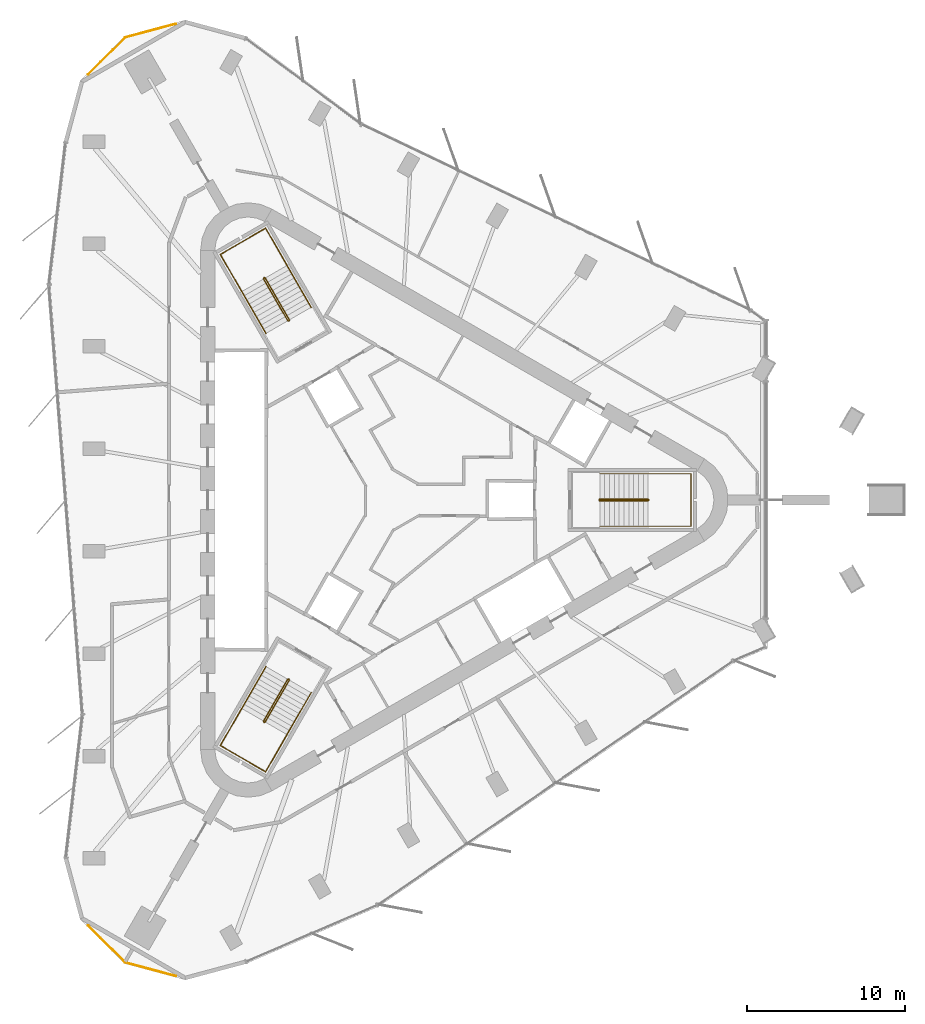
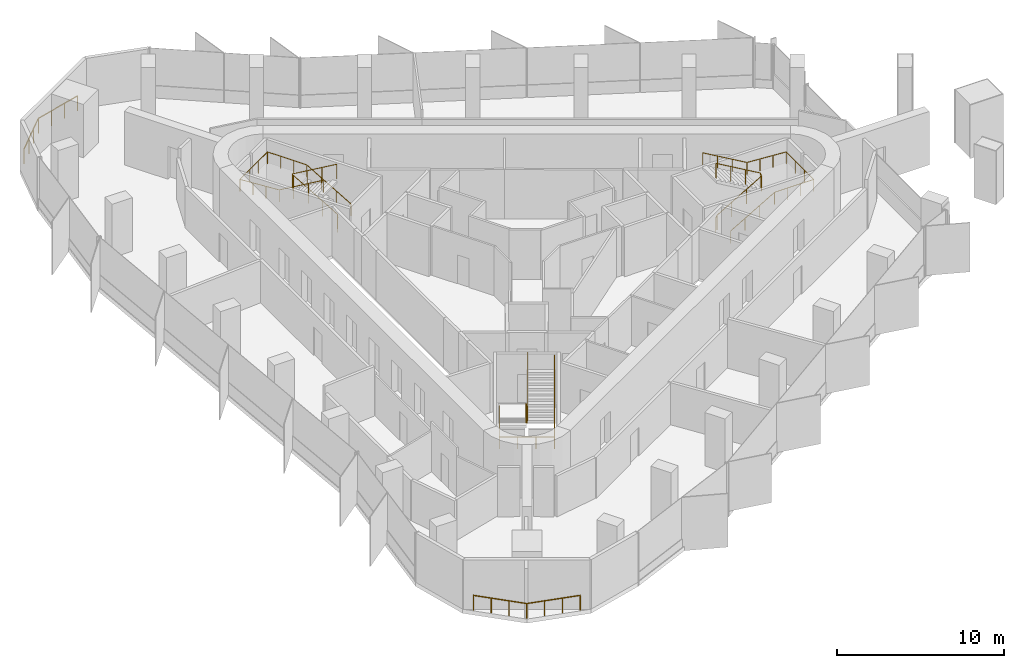
# One storey, part 12 of 12: 8 railings.
"""IFC4 building model written with IfcOpenShell, lengths in metres."""

from ifc_helpers import new_model, si_unit, direction, frame, origin, origin_2d, place, context, subcontext, project, spatial, circle, extrude, material, type_object, element, save


model = new_model("IFC4")

# Units and contexts
model_context = context("Model", 3, precision=1e-05, world=origin(), true_north=direction((0.0, 1.0)))
body_context = subcontext(model_context, "Body", "Model", "MODEL_VIEW")
ifc_project = project(units=[si_unit("LENGTHUNIT", "METRE"), si_unit("AREAUNIT", "SQUARE_METRE"), si_unit("VOLUMEUNIT", "CUBIC_METRE"), si_unit("PLANEANGLEUNIT", "RADIAN"), si_unit("MASSUNIT", "GRAM", prefix="KILO")], contexts=[model_context])

# Site, building, storey
site_placement = place(None, origin())
site = spatial("IfcSite", under=ifc_project, at=site_placement, CompositionType="ELEMENT")
building_placement = place(site_placement, origin())
building = spatial("IfcBuilding", under=site, at=building_placement, Name="Tanit Gate Tower", CompositionType="ELEMENT")
storey_placement = place(building_placement, frame((0.0, 0.0, 380.60009765625)))
storey = spatial("IfcBuildingStorey", under=building, at=storey_placement, Name="L87", CompositionType="ELEMENT", Elevation=380.60009765625)

# Railings
ifc_material_1 = material(Name="Stainless steel", Category="steel")
railing_type_1 = type_object("IfcRailingType", Name="Guard 1100 stainless steel balustrade", PredefinedType="GUARDRAIL", material=ifc_material_1)
railing_1_placement = place(storey_placement, frame((-13.66552734375, -30.05126953125, 0.0)))
element("IfcRailing", 1, at=railing_1_placement, inside=storey, type_object=railing_type_1, Name="Corner ledge guard L87 1", PredefinedType="GUARDRAIL", context=body_context, shape_type="SweptSolid", body=[
    extrude(circle(Radius=0.02392578125, at=origin_2d()), frame((0.0, 0.0, 1.076171875), z_axis=(-0.965927598952, 0.258812429344, 0.0), x_axis=(-0.258812429344, -0.965927598952, 0.0)), (0.0, 0.0, 1.0), 3.303466796875),
    extrude(circle(Radius=0.02392578125, at=origin_2d()), frame((-3.19091796875, 0.85498046875, 1.076171875), z_axis=(-0.707106781187, 0.707106781187, 0.0), x_axis=(-0.707106781187, -0.707106781187, 0.0)), (0.0, 0.0, 1.0), 3.303466796875),
    extrude(circle(Radius=0.02099609375, at=origin_2d()), origin(), (0.0, 0.0, 1.0), 1.052001953125),
    extrude(circle(Radius=0.02099609375, at=origin_2d()), frame((-1.063720703125, 0.284912109375, 0.0)), (0.0, 0.0, 1.0), 1.052001953125),
    extrude(circle(Radius=0.02099609375, at=origin_2d()), frame((-2.127197265625, 0.570068359375, 0.0)), (0.0, 0.0, 1.0), 1.052001953125),
    extrude(circle(Radius=0.02099609375, at=origin_2d()), frame((-3.19091796875, 0.85498046875, 0.0)), (0.0, 0.0, 1.0), 1.052001953125),
    extrude(circle(Radius=0.02099609375, at=origin_2d()), frame((-3.969482421875, 1.633544921875, 0.0)), (0.0, 0.0, 1.0), 1.052001953125),
    extrude(circle(Radius=0.02099609375, at=origin_2d()), frame((-4.748291015625, 2.412353515625, 0.0)), (0.0, 0.0, 1.0), 1.052001953125),
    extrude(circle(Radius=0.02099609375, at=origin_2d()), frame((-5.52685546875, 3.19091796875, 0.0)), (0.0, 0.0, 1.0), 1.052001953125),
])
railing_2_placement = place(storey_placement, frame((-19.1923828125, 26.8603515625, 0.0)))
element("IfcRailing", 2, at=railing_2_placement, inside=storey, type_object=railing_type_1, Name="Corner ledge guard L87 2", PredefinedType="GUARDRAIL", context=body_context, shape_type="SweptSolid", body=[
    extrude(circle(Radius=0.02392578125, at=origin_2d()), frame((0.0, 0.0, 1.076171875), z_axis=(0.707106781187, 0.707106781187, 0.0), x_axis=(-0.707106781187, 0.707106781187, 0.0)), (0.0, 0.0, 1.0), 3.303466796875),
    extrude(circle(Radius=0.02392578125, at=origin_2d()), frame((2.3359375, 2.3359375, 1.076171875), z_axis=(0.965927598952, 0.258812429344, 0.0), x_axis=(-0.258812429344, 0.965927598952, 0.0)), (0.0, 0.0, 1.0), 3.303466796875),
    extrude(circle(Radius=0.02099609375, at=origin_2d()), origin(), (0.0, 0.0, 1.0), 1.052001953125),
    extrude(circle(Radius=0.02099609375, at=origin_2d()), frame((0.778564453125, 0.778564453125, 0.0)), (0.0, 0.0, 1.0), 1.052001953125),
    extrude(circle(Radius=0.02099609375, at=origin_2d()), frame((1.557373046875, 1.557373046875, 0.0)), (0.0, 0.0, 1.0), 1.052001953125),
    extrude(circle(Radius=0.02099609375, at=origin_2d()), frame((2.3359375, 2.3359375, 0.0)), (0.0, 0.0, 1.0), 1.052001953125),
    extrude(circle(Radius=0.02099609375, at=origin_2d()), frame((3.399658203125, 2.620849609375, 0.0)), (0.0, 0.0, 1.0), 1.052001953125),
    extrude(circle(Radius=0.02099609375, at=origin_2d()), frame((4.463134765625, 2.906005859375, 0.0)), (0.0, 0.0, 1.0), 1.052001953125),
    extrude(circle(Radius=0.02099609375, at=origin_2d()), frame((5.52685546875, 3.19091796875, 0.0)), (0.0, 0.0, 1.0), 1.052001953125),
])
ifc_material_2 = material(Name="Stainless steel balustrade", Category="steel")
railing_type_2 = type_object("IfcRailingType", Name="INT-STAIR-GUARD", PredefinedType="GUARDRAIL", material=ifc_material_2)
railing_3_placement = place(storey_placement, frame((13.044921875, 0.0048828125, 0.0)))
element("IfcRailing", 3, at=railing_3_placement, inside=storey, type_object=railing_type_2, Name="L87 S1 stair guard 1", PredefinedType="GUARDRAIL", context=body_context, shape_type="SweptSolid", body=[
    extrude(circle(Radius=0.02392578125, at=origin_2d()), frame((0.0, 0.0, 1.076171875), z_axis=(0.0, -1.0, 0.0), x_axis=(1.0, 0.0, 0.0)), (0.0, 0.0, 1.0), 0.009765625),
    extrude(circle(Radius=0.02392578125, at=origin_2d()), frame((0.0, -0.009765625, 1.076171875), z_axis=(0.262233686654, -0.262233686654, 0.928691007369), x_axis=(0.707106781187, 0.707106781187, 0.0)), (0.0, 0.0, 1.0), 0.19091796875),
    extrude(circle(Radius=0.02392578125, at=origin_2d()), frame((0.050048828125, -0.059814453125, 1.25341796875), z_axis=(0.864648382064, 0.0, 0.502377522779), x_axis=(0.0, 1.0, 0.0)), (0.0, 0.0, 1.0), 3.528564453125),
    extrude(circle(Radius=0.02392578125, at=origin_2d()), frame((3.10107421875, -0.059814453125, 3.02587890625), z_axis=(0.707106781187, 0.707106781187, 0.0), x_axis=(-0.707106781187, 0.707106781187, 0.0)), (0.0, 0.0, 1.0), 0.07080078125),
    extrude(circle(Radius=0.02392578125, at=origin_2d()), frame((3.151123046875, -0.009765625, 3.02587890625), z_axis=(0.0, 1.0, 0.0), x_axis=(-1.0, 0.0, 0.0)), (0.0, 0.0, 1.0), 0.009765625),
    extrude(circle(Radius=0.02392578125, at=origin_2d()), frame((3.151123046875, 0.0, 3.02587890625), z_axis=(-0.262233686654, 0.262233686654, 0.928691007369), x_axis=(-0.707106781187, -0.707106781187, 0.0)), (0.0, 0.0, 1.0), 0.19091796875),
    extrude(circle(Radius=0.02392578125, at=origin_2d()), frame((3.10107421875, 0.050048828125, 3.203125), z_axis=(-0.864648382064, 0.0, 0.502377522779), x_axis=(0.0, -1.0, 0.0)), (0.0, 0.0, 1.0), 3.528564453125),
    extrude(circle(Radius=0.02099609375, at=origin_2d()), origin(), (0.0, 0.0, 1.0), 1.052001953125),
    extrude(circle(Radius=0.02099609375, at=origin_2d()), frame((0.0, -0.009765625, 0.0)), (0.0, 0.0, 1.0), 1.052001953125),
    extrude(circle(Radius=0.02099609375, at=origin_2d()), frame((0.050048828125, -0.059814453125, 0.17724609375)), (0.0, 0.0, 1.0), 1.052001953125),
    extrude(circle(Radius=0.02099609375, at=origin_2d()), frame((1.067138671875, -0.059814453125, 0.76806640625)), (0.0, 0.0, 1.0), 1.052001953125),
    extrude(circle(Radius=0.02099609375, at=origin_2d()), frame((2.083984375, -0.059814453125, 1.359130859375)), (0.0, 0.0, 1.0), 1.052001953125),
    extrude(circle(Radius=0.02099609375, at=origin_2d()), frame((3.10107421875, -0.059814453125, 1.949951171875)), (0.0, 0.0, 1.0), 1.052001953125),
    extrude(circle(Radius=0.02099609375, at=origin_2d()), frame((3.151123046875, -0.009765625, 1.949951171875)), (0.0, 0.0, 1.0), 1.052001953125),
    extrude(circle(Radius=0.02099609375, at=origin_2d()), frame((3.151123046875, 0.0, 1.949951171875)), (0.0, 0.0, 1.0), 1.052001953125),
    extrude(circle(Radius=0.02099609375, at=origin_2d()), frame((3.10107421875, 0.050048828125, 2.127197265625)), (0.0, 0.0, 1.0), 1.052001953125),
    extrude(circle(Radius=0.02099609375, at=origin_2d()), frame((2.083984375, 0.050048828125, 2.718017578125)), (0.0, 0.0, 1.0), 1.052001953125),
    extrude(circle(Radius=0.02099609375, at=origin_2d()), frame((1.067138671875, 0.050048828125, 3.30908203125)), (0.0, 0.0, 1.0), 1.052001953125),
    extrude(circle(Radius=0.02099609375, at=origin_2d()), frame((0.050048828125, 0.050048828125, 3.89990234375)), (0.0, 0.0, 1.0), 1.052001953125),
])
railing_4_placement = place(storey_placement, frame((-6.527099609375, 11.29345703125, 0.0)))
element("IfcRailing", 4, at=railing_4_placement, inside=storey, type_object=railing_type_2, Name="L87 S2 stair guard 1", PredefinedType="GUARDRAIL", context=body_context, shape_type="SweptSolid", body=[
    extrude(circle(Radius=0.02392578125, at=origin_2d()), frame((0.0, 0.0, 1.076171875), z_axis=(0.868243142124, 0.496138938357, 0.0), x_axis=(-0.496138938357, 0.868243142124, 0.0)), (0.0, 0.0, 1.0), 0.01171875),
    extrude(circle(Radius=0.02392578125, at=origin_2d()), frame((0.01025390625, 0.005859375, 1.076171875), z_axis=(0.095941116058, 0.358180166617, 0.928710003441), x_axis=(-0.965948051503, 0.258736085224, 0.0)), (0.0, 0.0, 1.0), 0.19091796875),
    extrude(circle(Radius=0.02392578125, at=origin_2d()), frame((0.028564453125, 0.07421875, 1.25341796875), z_axis=(-0.4322777601, 0.748681545756, 0.50260509465), x_axis=(-0.866012246495, -0.500022788402, 0.0)), (0.0, 0.0, 1.0), 3.527099609375),
    extrude(circle(Radius=0.02392578125, at=origin_2d()), frame((-1.49609375, 2.71484375, 3.02587890625), z_axis=(-0.965715946433, 0.259601060869, 0.0), x_axis=(-0.259601060869, -0.965715946433, 0.0)), (0.0, 0.0, 1.0), 0.070556640625),
    extrude(circle(Radius=0.02392578125, at=origin_2d()), frame((-1.564208984375, 2.733154296875, 3.02587890625), z_axis=(-0.873197702015, -0.487366159264, 0.0), x_axis=(0.487366159264, -0.873197702015, 0.0)), (0.0, 0.0, 1.0), 0.011962890625),
    extrude(circle(Radius=0.02392578125, at=origin_2d()), frame((-1.57470703125, 2.727294921875, 3.02587890625), z_axis=(-0.095941116058, -0.358180166617, 0.928710003441), x_axis=(0.965948051503, -0.258736085224, 0.0)), (0.0, 0.0, 1.0), 0.19091796875),
    extrude(circle(Radius=0.02392578125, at=origin_2d()), frame((-1.593017578125, 2.658935546875, 3.203125), z_axis=(0.4322777601, -0.748681545756, 0.50260509465), x_axis=(0.866012246495, 0.500022788402, 0.0)), (0.0, 0.0, 1.0), 3.527099609375),
    extrude(circle(Radius=0.02099609375, at=origin_2d()), origin(), (0.0, 0.0, 1.0), 1.052001953125),
    extrude(circle(Radius=0.02099609375, at=origin_2d()), frame((0.01025390625, 0.005859375, 0.0)), (0.0, 0.0, 1.0), 1.052001953125),
    extrude(circle(Radius=0.02099609375, at=origin_2d()), frame((0.028564453125, 0.07421875, 0.17724609375)), (0.0, 0.0, 1.0), 1.052001953125),
    extrude(circle(Radius=0.02099609375, at=origin_2d()), frame((-0.479736328125, 0.954345703125, 0.76806640625)), (0.0, 0.0, 1.0), 1.052001953125),
    extrude(circle(Radius=0.02099609375, at=origin_2d()), frame((-0.98779296875, 1.834716796875, 1.359130859375)), (0.0, 0.0, 1.0), 1.052001953125),
    extrude(circle(Radius=0.02099609375, at=origin_2d()), frame((-1.49609375, 2.71484375, 1.949951171875)), (0.0, 0.0, 1.0), 1.052001953125),
    extrude(circle(Radius=0.02099609375, at=origin_2d()), frame((-1.564208984375, 2.733154296875, 1.949951171875)), (0.0, 0.0, 1.0), 1.052001953125),
    extrude(circle(Radius=0.02099609375, at=origin_2d()), frame((-1.57470703125, 2.727294921875, 1.949951171875)), (0.0, 0.0, 1.0), 1.052001953125),
    extrude(circle(Radius=0.02099609375, at=origin_2d()), frame((-1.593017578125, 2.658935546875, 2.127197265625)), (0.0, 0.0, 1.0), 1.052001953125),
    extrude(circle(Radius=0.02099609375, at=origin_2d()), frame((-1.084716796875, 1.77880859375, 2.718017578125)), (0.0, 0.0, 1.0), 1.052001953125),
    extrude(circle(Radius=0.02099609375, at=origin_2d()), frame((-0.57666015625, 0.8984375, 3.30908203125)), (0.0, 0.0, 1.0), 1.052001953125),
    extrude(circle(Radius=0.02099609375, at=origin_2d()), frame((-0.068359375, 0.018310546875, 3.89990234375)), (0.0, 0.0, 1.0), 1.052001953125),
])
railing_5_placement = place(storey_placement, frame((-6.51806640625, -11.2998046875, 0.0)))
element("IfcRailing", 5, at=railing_5_placement, inside=storey, type_object=railing_type_2, Name="L87 S3 stair guard 1", PredefinedType="GUARDRAIL", context=body_context, shape_type="SweptSolid", body=[
    extrude(circle(Radius=0.02392578125, at=origin_2d()), frame((0.0, 0.0, 1.076171875), z_axis=(-0.874157276122, 0.485642931179, 0.0), x_axis=(-0.485642931179, -0.874157276122, 0.0)), (0.0, 0.0, 1.0), 0.010009765625),
    extrude(circle(Radius=0.02392578125, at=origin_2d()), frame((-0.0087890625, 0.0048828125, 1.076171875), z_axis=(-0.358223840744, -0.094673443625, 0.928823244215), x_axis=(0.255512919477, -0.966805641264, 0.0)), (0.0, 0.0, 1.0), 0.19091796875),
    extrude(circle(Radius=0.02392578125, at=origin_2d()), frame((-0.0771484375, -0.01318359375, 1.25341796875), z_axis=(-0.432289778901, -0.748827189027, 0.502377734411), x_axis=(0.866048339477, -0.499960272111, 0.0)), (0.0, 0.0, 1.0), 3.528564453125),
    extrude(circle(Radius=0.02392578125, at=origin_2d()), frame((-1.6025390625, -2.655517578125, 3.02587890625), z_axis=(0.258736085224, -0.965948051503, 0.0), x_axis=(0.965948051503, 0.258736085224, 0.0)), (0.0, 0.0, 1.0), 0.07080078125),
    extrude(circle(Radius=0.02392578125, at=origin_2d()), frame((-1.584228515625, -2.723876953125, 3.02587890625), z_axis=(0.868243142124, -0.496138938357, 0.0), x_axis=(0.496138938357, 0.868243142124, 0.0)), (0.0, 0.0, 1.0), 0.009765625),
    extrude(circle(Radius=0.02392578125, at=origin_2d()), frame((-1.57568359375, -2.728759765625, 3.02587890625), z_axis=(0.358180166617, 0.095941116058, 0.928710003441), x_axis=(-0.258736085224, 0.965948051503, 0.0)), (0.0, 0.0, 1.0), 0.19091796875),
    extrude(circle(Radius=0.02392578125, at=origin_2d()), frame((-1.50732421875, -2.71044921875, 3.203125), z_axis=(0.432368434633, 0.748774395838, 0.502388734816), x_axis=(-0.865993683553, 0.500054937028, 0.0)), (0.0, 0.0, 1.0), 3.528564453125),
    extrude(circle(Radius=0.02099609375, at=origin_2d()), origin(), (0.0, 0.0, 1.0), 1.052001953125),
    extrude(circle(Radius=0.02099609375, at=origin_2d()), frame((-0.0087890625, 0.0048828125, 0.0)), (0.0, 0.0, 1.0), 1.052001953125),
    extrude(circle(Radius=0.02099609375, at=origin_2d()), frame((-0.0771484375, -0.01318359375, 0.17724609375)), (0.0, 0.0, 1.0), 1.052001953125),
    extrude(circle(Radius=0.02099609375, at=origin_2d()), frame((-0.585693359375, -0.89404296875, 0.76806640625)), (0.0, 0.0, 1.0), 1.052001953125),
    extrude(circle(Radius=0.02099609375, at=origin_2d()), frame((-1.093994140625, -1.774658203125, 1.359130859375)), (0.0, 0.0, 1.0), 1.052001953125),
    extrude(circle(Radius=0.02099609375, at=origin_2d()), frame((-1.6025390625, -2.655517578125, 1.949951171875)), (0.0, 0.0, 1.0), 1.052001953125),
    extrude(circle(Radius=0.02099609375, at=origin_2d()), frame((-1.584228515625, -2.723876953125, 1.949951171875)), (0.0, 0.0, 1.0), 1.052001953125),
    extrude(circle(Radius=0.02099609375, at=origin_2d()), frame((-1.57568359375, -2.728759765625, 1.949951171875)), (0.0, 0.0, 1.0), 1.052001953125),
    extrude(circle(Radius=0.02099609375, at=origin_2d()), frame((-1.50732421875, -2.71044921875, 2.127197265625)), (0.0, 0.0, 1.0), 1.052001953125),
    extrude(circle(Radius=0.02099609375, at=origin_2d()), frame((-0.998779296875, -1.829833984375, 2.718017578125)), (0.0, 0.0, 1.0), 1.052001953125),
    extrude(circle(Radius=0.02099609375, at=origin_2d()), frame((-0.490234375, -0.948974609375, 3.30908203125)), (0.0, 0.0, 1.0), 1.052001953125),
    extrude(circle(Radius=0.02099609375, at=origin_2d()), frame((0.018310546875, -0.068359375, 3.89990234375)), (0.0, 0.0, 1.0), 1.052001953125),
])
ifc_material_3 = material(Name="Stainless steel handrail", Category="steel")
railing_type_3 = type_object("IfcRailingType", Name="INT-STAIR-HANDRAIL", PredefinedType="HANDRAIL", material=ifc_material_3)
railing_6_placement = place(storey_placement, frame((13.094970703125, -1.64990234375, 0.17724609375)))
element("IfcRailing", 6, at=railing_6_placement, inside=storey, type_object=railing_type_3, Name="L87 S1 stair handrail 1", PredefinedType="HANDRAIL", context=body_context, shape_type="SweptSolid", body=[
    extrude(circle(Radius=0.02392578125, at=origin_2d()), frame((0.0, 0.0, 0.8759765625), z_axis=(0.864648382064, 0.0, 0.502377522779), x_axis=(0.0, 1.0, 0.0)), (0.0, 0.0, 1.0), 3.528564453125),
    extrude(circle(Radius=0.02392578125, at=origin_2d()), frame((3.051025390625, 0.0, 2.6484375), z_axis=(1.0, 0.0, 0.0), x_axis=(0.0, 1.0, 0.0)), (0.0, 0.0, 1.0), 2.7041015625),
    extrude(circle(Radius=0.02392578125, at=origin_2d()), frame((5.755126953125, 0.0, 2.6484375), z_axis=(0.0, 1.0, 0.0), x_axis=(-1.0, 0.0, 0.0)), (0.0, 0.0, 1.0), 3.2998046875),
    extrude(circle(Radius=0.02392578125, at=origin_2d()), frame((5.755126953125, 3.2998046875, 2.6484375), z_axis=(-0.997858684482, 0.0, 0.065406771843), x_axis=(0.0, -1.0, 0.0)), (0.0, 0.0, 1.0), 2.7099609375),
    extrude(circle(Radius=0.02392578125, at=origin_2d()), frame((3.051025390625, 3.2998046875, 2.82568359375), z_axis=(-0.864648382064, 0.0, 0.502377522779), x_axis=(0.0, -1.0, 0.0)), (0.0, 0.0, 1.0), 3.528564453125),
    extrude(circle(Radius=0.02099609375, at=origin_2d()), origin(), (0.0, 0.0, 1.0), 0.851806640625),
    extrude(circle(Radius=0.02099609375, at=origin_2d()), frame((1.01708984375, 0.0, 0.5908203125)), (0.0, 0.0, 1.0), 0.851806640625),
    extrude(circle(Radius=0.02099609375, at=origin_2d()), frame((2.033935546875, 0.0, 1.181884765625)), (0.0, 0.0, 1.0), 0.851806640625),
    extrude(circle(Radius=0.02099609375, at=origin_2d()), frame((3.051025390625, 0.0, 1.772705078125)), (0.0, 0.0, 1.0), 0.851806640625),
    extrude(circle(Radius=0.02099609375, at=origin_2d()), frame((3.952392578125, 0.0, 1.772705078125)), (0.0, 0.0, 1.0), 0.851806640625),
    extrude(circle(Radius=0.02099609375, at=origin_2d()), frame((4.853759765625, 0.0, 1.772705078125)), (0.0, 0.0, 1.0), 0.851806640625),
    extrude(circle(Radius=0.02099609375, at=origin_2d()), frame((5.755126953125, 0.0, 1.772705078125)), (0.0, 0.0, 1.0), 0.851806640625),
    extrude(circle(Radius=0.02099609375, at=origin_2d()), frame((5.755126953125, 1.099853515625, 1.772705078125)), (0.0, 0.0, 1.0), 0.851806640625),
    extrude(circle(Radius=0.02099609375, at=origin_2d()), frame((5.755126953125, 2.199951171875, 1.772705078125)), (0.0, 0.0, 1.0), 0.851806640625),
    extrude(circle(Radius=0.02099609375, at=origin_2d()), frame((5.755126953125, 3.2998046875, 1.772705078125)), (0.0, 0.0, 1.0), 0.851806640625),
    extrude(circle(Radius=0.02099609375, at=origin_2d()), frame((4.853759765625, 3.2998046875, 1.831787109375)), (0.0, 0.0, 1.0), 0.851806640625),
    extrude(circle(Radius=0.02099609375, at=origin_2d()), frame((3.952392578125, 3.2998046875, 1.890869140625)), (0.0, 0.0, 1.0), 0.851806640625),
    extrude(circle(Radius=0.02099609375, at=origin_2d()), frame((3.051025390625, 3.2998046875, 1.949951171875)), (0.0, 0.0, 1.0), 0.851806640625),
    extrude(circle(Radius=0.02099609375, at=origin_2d()), frame((2.033935546875, 3.2998046875, 2.540771484375)), (0.0, 0.0, 1.0), 0.851806640625),
    extrude(circle(Radius=0.02099609375, at=origin_2d()), frame((1.01708984375, 3.2998046875, 3.1318359375)), (0.0, 0.0, 1.0), 0.851806640625),
    extrude(circle(Radius=0.02099609375, at=origin_2d()), frame((0.0, 3.2998046875, 3.72265625)), (0.0, 0.0, 1.0), 0.851806640625),
])
railing_7_placement = place(storey_placement, frame((-5.1181640625, 12.164794921875, 0.17724609375)))
element("IfcRailing", 7, at=railing_7_placement, inside=storey, type_object=railing_type_3, Name="L87 S2 stair handrail 1", PredefinedType="HANDRAIL", context=body_context, shape_type="SweptSolid", body=[
    extrude(circle(Radius=0.02392578125, at=origin_2d()), frame((0.0, 0.0, 0.8759765625), z_axis=(-0.432221472453, 0.748703947157, 0.502620133164), x_axis=(-0.866046917185, -0.499962735845, 0.0)), (0.0, 0.0, 1.0), 3.52685546875),
    extrude(circle(Radius=0.02392578125, at=origin_2d()), frame((-1.5244140625, 2.640625, 2.6484375), z_axis=(-0.500019123664, 0.86601436245, 0.0), x_axis=(-0.86601436245, -0.500019123664, 0.0)), (0.0, 0.0, 1.0), 2.70703125),
    extrude(circle(Radius=0.02392578125, at=origin_2d()), frame((-2.8779296875, 4.98486328125, 2.6484375), z_axis=(-0.866008176907, -0.50002983664, 0.0), x_axis=(0.50002983664, -0.866008176907, 0.0)), (0.0, 0.0, 1.0), 3.300048828125),
    extrude(circle(Radius=0.02392578125, at=origin_2d()), frame((-5.73583984375, 3.334716796875, 2.6484375), z_axis=(0.498989459885, -0.864141018102, 0.065343857842), x_axis=(0.865991810323, 0.500058181068, 0.0)), (0.0, 0.0, 1.0), 2.71240234375),
    extrude(circle(Radius=0.02392578125, at=origin_2d()), frame((-4.38232421875, 0.99072265625, 2.82568359375), z_axis=(0.432255358616, -0.748711963836, 0.502579048665), x_axis=(0.866032263162, 0.499988119021, 0.0)), (0.0, 0.0, 1.0), 3.527099609375),
    extrude(circle(Radius=0.02099609375, at=origin_2d()), origin(), (0.0, 0.0, 1.0), 0.851806640625),
    extrude(circle(Radius=0.02099609375, at=origin_2d()), frame((-0.508056640625, 0.880126953125, 0.5908203125)), (0.0, 0.0, 1.0), 0.851806640625),
    extrude(circle(Radius=0.02099609375, at=origin_2d()), frame((-1.016357421875, 1.760498046875, 1.181884765625)), (0.0, 0.0, 1.0), 0.851806640625),
    extrude(circle(Radius=0.02099609375, at=origin_2d()), frame((-1.5244140625, 2.640625, 1.772705078125)), (0.0, 0.0, 1.0), 0.851806640625),
    extrude(circle(Radius=0.02099609375, at=origin_2d()), frame((-1.9755859375, 3.422119140625, 1.772705078125)), (0.0, 0.0, 1.0), 0.851806640625),
    extrude(circle(Radius=0.02099609375, at=origin_2d()), frame((-2.4267578125, 4.203369140625, 1.772705078125)), (0.0, 0.0, 1.0), 0.851806640625),
    extrude(circle(Radius=0.02099609375, at=origin_2d()), frame((-2.8779296875, 4.98486328125, 1.772705078125)), (0.0, 0.0, 1.0), 0.851806640625),
    extrude(circle(Radius=0.02099609375, at=origin_2d()), frame((-3.83056640625, 4.434814453125, 1.772705078125)), (0.0, 0.0, 1.0), 0.851806640625),
    extrude(circle(Radius=0.02099609375, at=origin_2d()), frame((-4.783203125, 3.884765625, 1.772705078125)), (0.0, 0.0, 1.0), 0.851806640625),
    extrude(circle(Radius=0.02099609375, at=origin_2d()), frame((-5.73583984375, 3.334716796875, 1.772705078125)), (0.0, 0.0, 1.0), 0.851806640625),
    extrude(circle(Radius=0.02099609375, at=origin_2d()), frame((-5.28466796875, 2.553466796875, 1.831787109375)), (0.0, 0.0, 1.0), 0.851806640625),
    extrude(circle(Radius=0.02099609375, at=origin_2d()), frame((-4.83349609375, 1.77197265625, 1.890869140625)), (0.0, 0.0, 1.0), 0.851806640625),
    extrude(circle(Radius=0.02099609375, at=origin_2d()), frame((-4.38232421875, 0.99072265625, 1.949951171875)), (0.0, 0.0, 1.0), 0.851806640625),
    extrude(circle(Radius=0.02099609375, at=origin_2d()), frame((-3.8740234375, 0.1103515625, 2.540771484375)), (0.0, 0.0, 1.0), 0.851806640625),
    extrude(circle(Radius=0.02099609375, at=origin_2d()), frame((-3.365966796875, -0.769775390625, 3.1318359375)), (0.0, 0.0, 1.0), 0.851806640625),
    extrude(circle(Radius=0.02099609375, at=origin_2d()), frame((-2.857666015625, -1.650146484375, 3.72265625)), (0.0, 0.0, 1.0), 0.851806640625),
])
railing_8_placement = place(storey_placement, frame((-7.9765625, -10.515625, 0.17724609375)))
element("IfcRailing", 8, at=railing_8_placement, inside=storey, type_object=railing_type_3, Name="L87 S3 stair handrail 1", PredefinedType="HANDRAIL", context=body_context, shape_type="SweptSolid", body=[
    extrude(circle(Radius=0.02392578125, at=origin_2d()), frame((0.0, 0.0, 0.8759765625), z_axis=(-0.432289778901, -0.748827189027, 0.502377734411), x_axis=(0.866048339477, -0.499960272111, 0.0)), (0.0, 0.0, 1.0), 3.528564453125),
    extrude(circle(Radius=0.02392578125, at=origin_2d()), frame((-1.525390625, -2.642333984375, 2.6484375), z_axis=(-0.50004290449, -0.866000631449, 0.0), x_axis=(0.866000631449, -0.50004290449, 0.0)), (0.0, 0.0, 1.0), 2.703857421875),
    extrude(circle(Radius=0.02392578125, at=origin_2d()), frame((-2.87744140625, -4.98388671875, 2.6484375), z_axis=(0.866008176907, -0.50002983664, 0.0), x_axis=(0.50002983664, 0.866008176907, 0.0)), (0.0, 0.0, 1.0), 3.300048828125),
    extrude(circle(Radius=0.02392578125, at=origin_2d()), frame((-0.01953125, -6.634033203125, 2.6484375), z_axis=(0.498933124603, 0.864168748861, 0.065407267689), x_axis=(-0.866023205937, 0.500003806764, 0.0)), (0.0, 0.0, 1.0), 2.7099609375),
    extrude(circle(Radius=0.02392578125, at=origin_2d()), frame((1.33251953125, -4.292236328125, 2.82568359375), z_axis=(0.432289778901, 0.748827189027, 0.502377734411), x_axis=(-0.866048339477, 0.499960272111, 0.0)), (0.0, 0.0, 1.0), 3.528564453125),
    extrude(circle(Radius=0.02099609375, at=origin_2d()), origin(), (0.0, 0.0, 1.0), 0.851806640625),
    extrude(circle(Radius=0.02099609375, at=origin_2d()), frame((-0.508544921875, -0.880859375, 0.5908203125)), (0.0, 0.0, 1.0), 0.851806640625),
    extrude(circle(Radius=0.02099609375, at=origin_2d()), frame((-1.016845703125, -1.761474609375, 1.181884765625)), (0.0, 0.0, 1.0), 0.851806640625),
    extrude(circle(Radius=0.02099609375, at=origin_2d()), frame((-1.525390625, -2.642333984375, 1.772705078125)), (0.0, 0.0, 1.0), 0.851806640625),
    extrude(circle(Radius=0.02099609375, at=origin_2d()), frame((-1.97607421875, -3.4228515625, 1.772705078125)), (0.0, 0.0, 1.0), 0.851806640625),
    extrude(circle(Radius=0.02099609375, at=origin_2d()), frame((-2.4267578125, -4.203369140625, 1.772705078125)), (0.0, 0.0, 1.0), 0.851806640625),
    extrude(circle(Radius=0.02099609375, at=origin_2d()), frame((-2.87744140625, -4.98388671875, 1.772705078125)), (0.0, 0.0, 1.0), 0.851806640625),
    extrude(circle(Radius=0.02099609375, at=origin_2d()), frame((-1.9248046875, -5.533935546875, 1.772705078125)), (0.0, 0.0, 1.0), 0.851806640625),
    extrude(circle(Radius=0.02099609375, at=origin_2d()), frame((-0.97216796875, -6.083984375, 1.772705078125)), (0.0, 0.0, 1.0), 0.851806640625),
    extrude(circle(Radius=0.02099609375, at=origin_2d()), frame((-0.01953125, -6.634033203125, 1.772705078125)), (0.0, 0.0, 1.0), 0.851806640625),
    extrude(circle(Radius=0.02099609375, at=origin_2d()), frame((0.43115234375, -5.853515625, 1.831787109375)), (0.0, 0.0, 1.0), 0.851806640625),
    extrude(circle(Radius=0.02099609375, at=origin_2d()), frame((0.8818359375, -5.07275390625, 1.890869140625)), (0.0, 0.0, 1.0), 0.851806640625),
    extrude(circle(Radius=0.02099609375, at=origin_2d()), frame((1.33251953125, -4.292236328125, 1.949951171875)), (0.0, 0.0, 1.0), 0.851806640625),
    extrude(circle(Radius=0.02099609375, at=origin_2d()), frame((1.841064453125, -3.411376953125, 2.540771484375)), (0.0, 0.0, 1.0), 0.851806640625),
    extrude(circle(Radius=0.02099609375, at=origin_2d()), frame((2.349365234375, -2.53076171875, 3.1318359375)), (0.0, 0.0, 1.0), 0.851806640625),
    extrude(circle(Radius=0.02099609375, at=origin_2d()), frame((2.85791015625, -1.64990234375, 3.72265625)), (0.0, 0.0, 1.0), 0.851806640625),
])

save(model, "model.ifc")
